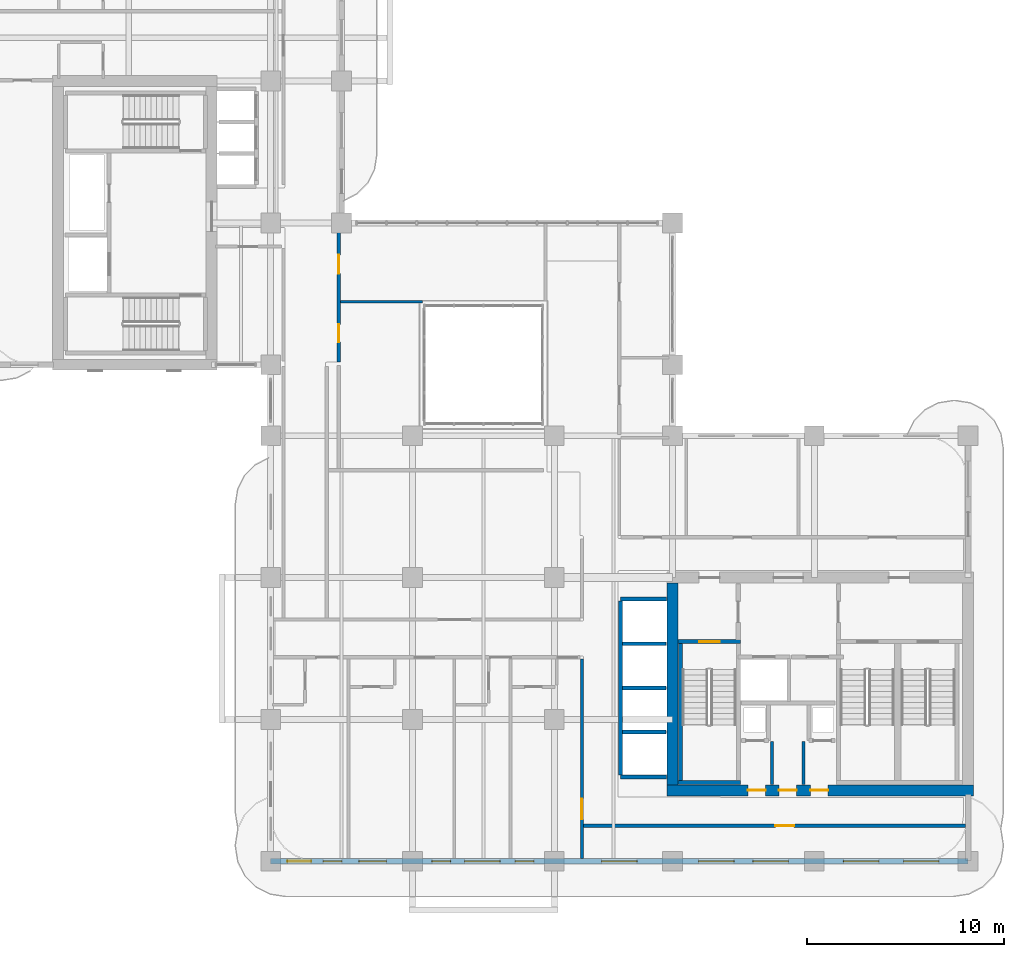
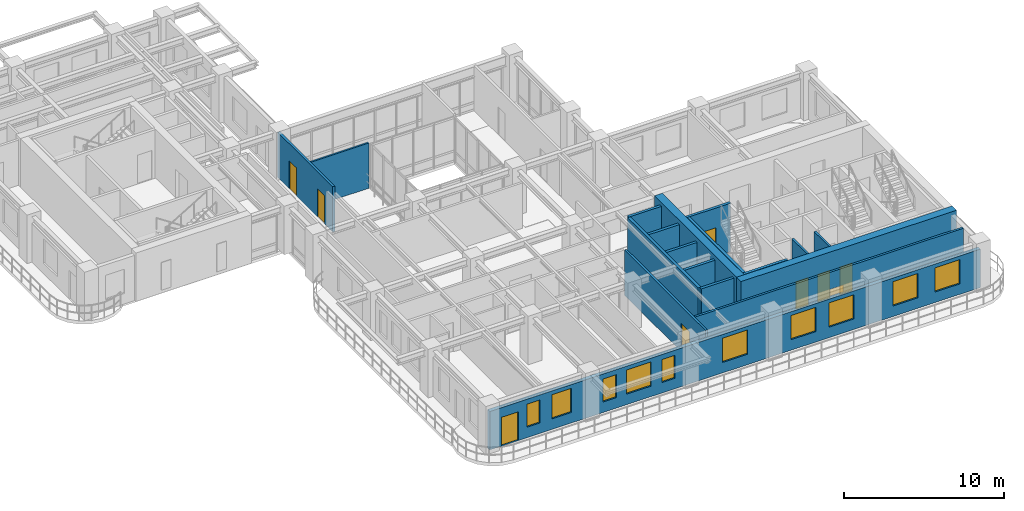
# One storey, part 12 of 20: 18 walls, 10 windows, 9 doors, 19 openings.
"""IFC4 building model written with IfcOpenShell, lengths in metres."""

from ifc_helpers import new_model, si_unit, derived_unit, direction, frame, frame_2d, origin, place, context, subcontext, project, spatial, rectangle, extrude, source, transform, mapped, material, layer, layer_set, type_object, type_shapes, element, fill, save


model = new_model("IFC4")

# Units and contexts
model_context = context("Model", 3, precision=1e-05, world=origin(), true_north=direction((0.0, 1.0)))
body_context = subcontext(model_context, "Body", "Model", "MODEL_VIEW")
ifc_project = project(units=[si_unit("LENGTHUNIT", "METRE"), si_unit("AREAUNIT", "SQUARE_METRE"), si_unit("VOLUMEUNIT", "CUBIC_METRE"), si_unit("PLANEANGLEUNIT", "RADIAN"), si_unit("MASSUNIT", "GRAM", prefix="KILO"), si_unit("THERMODYNAMICTEMPERATUREUNIT", "KELVIN"), si_unit("POWERUNIT", "WATT"), derived_unit("THERMALTRANSMITTANCEUNIT", [(si_unit("POWERUNIT", "WATT"), 1), (si_unit("AREAUNIT", "SQUARE_METRE"), -1), (si_unit("THERMODYNAMICTEMPERATUREUNIT", "KELVIN"), -1)])], contexts=[model_context])

# Site, building, storey
site_placement = place(None, origin())
site = spatial("IfcSite", under=ifc_project, at=site_placement, CompositionType="ELEMENT")
building_placement = place(site_placement, origin())
building = spatial("IfcBuilding", under=site, at=building_placement, Name="Zahravan Archway Hotel and Residences", CompositionType="ELEMENT")
storey_placement = place(building_placement, frame((0.0, 0.0, 126.60009765625)))
storey = spatial("IfcBuildingStorey", under=building, at=storey_placement, Name="L31", CompositionType="ELEMENT", Elevation=126.60009765625)

# Wall, openings, doors
ifc_material_1 = material(Name="Concrete C70/85", Category="concrete")
ifc_layer_1 = layer(ifc_material_1, 0.550048828125, Name="Concrete C70/85", Category="concrete")
ifc_layer_set_1 = layer_set([ifc_layer_1], Name="Concrete C70/85")
wall_type_1 = type_object("IfcWallType", Name="CW-CORE-550", PredefinedType="SHEAR", material=ifc_layer_set_1)
wall_1_placement = place(storey_placement, frame((34.52490234375, 3.60009765625, 0.0), z_axis=(0.0, 0.0, 1.0), x_axis=(1.0, 0.0, 0.0)))
wall_1 = element("IfcWall", 1, at=wall_1_placement, inside=storey, type_object=wall_type_1, Name="L31 Core A Shear S Wall 550 mm", PredefinedType="SHEAR", context=body_context, shape_type="SweptSolid", body=[
    extrude(rectangle(XDim=15.550048828125, YDim=0.550048828125, at=frame_2d((7.77490234375, 0.0))), origin(), (0.0, 0.0, 1.0), 3.699951171875),
])
opening_1_placement = place(wall_1_placement, frame((4.10498046875, 0.0, 0.0)))
opening_1 = element("IfcOpeningElement", 2, at=opening_1_placement, cuts=wall_1, Name="Opening FD-R1", PredefinedType="OPENING", context=body_context, shape_type="SweptSolid", body=[
    extrude(rectangle(XDim=0.89990234375, YDim=2.10009765625, at=frame_2d((0.449951171875, 1.050048828125))), frame((0.0, 0.28515625, 0.0), z_axis=(0.0, -1.0, 0.0), x_axis=(1.0, 0.0, 0.0)), (0.0, 0.0, 1.0), 0.570068359375),
])
opening_2_placement = place(wall_1_placement, frame((5.675048828125, 0.0, 0.0)))
opening_2 = element("IfcOpeningElement", 3, at=opening_2_placement, cuts=wall_1, Name="Opening FD-R1", PredefinedType="OPENING", context=body_context, shape_type="SweptSolid", body=[
    extrude(rectangle(XDim=0.89990234375, YDim=2.10009765625, at=frame_2d((0.449951171875, 1.050048828125))), frame((0.0, 0.28515625, 0.0), z_axis=(0.0, -1.0, 0.0), x_axis=(1.0, 0.0, 0.0)), (0.0, 0.0, 1.0), 0.570068359375),
])
opening_3_placement = place(wall_1_placement, frame((7.27490234375, 0.0, 0.0)))
opening_3 = element("IfcOpeningElement", 4, at=opening_3_placement, cuts=wall_1, Name="Opening FD-R1", PredefinedType="OPENING", context=body_context, shape_type="SweptSolid", body=[
    extrude(rectangle(XDim=0.89990234375, YDim=2.10009765625, at=frame_2d((0.449951171875, 1.050048828125))), frame((0.0, 0.28515625, 0.0), z_axis=(0.0, -1.0, 0.0), x_axis=(1.0, 0.0, 0.0)), (0.0, 0.0, 1.0), 0.570068359375),
])
ifc_material_2 = material(Name="Fire-Rated Painted Steel", Category="steel")
door_type_1 = type_object("IfcDoorType", Name="FD-RISER-900", OperationType="NOTDEFINED", PredefinedType="DOOR", material=ifc_material_2)
shared_shape_1 = source(origin(), body_context, "Body", "SweptSolid", [
    extrude(rectangle(XDim=0.89990234375, YDim=2.10009765625, at=frame_2d((0.449951171875, 1.050048828125))), frame((0.0, 0.02490234375, 0.0), z_axis=(0.0, -1.0, 0.0), x_axis=(1.0, 0.0, 0.0)), (0.0, 0.0, 1.0), 0.050048828125),
])
type_shapes(door_type_1, [shared_shape_1])
door_1_placement = place(opening_1_placement, origin())
door_1 = element("IfcDoor", 5, at=door_1_placement, inside=storey, type_object=door_type_1, Name="L31 Linen Store Door", OperationType="SINGLE_SWING_RIGHT", OverallHeight=2.10009765625, OverallWidth=0.89990234375, PredefinedType="DOOR", context=body_context, shape_type="MappedRepresentation", body=[
    mapped(shared_shape_1, transform((0.0, 0.0, 0.0), scale=1.0)),
])
fill(opening_1, door_1)
door_2_placement = place(opening_2_placement, origin())
door_2 = element("IfcDoor", 6, at=door_2_placement, inside=storey, type_object=door_type_1, Name="L31 Housekeeping Store Door", OperationType="SINGLE_SWING_LEFT", OverallHeight=2.10009765625, OverallWidth=0.89990234375, PredefinedType="DOOR", context=body_context, shape_type="MappedRepresentation", body=[
    mapped(shared_shape_1, transform((0.0, 0.0, 0.0), scale=1.0)),
])
fill(opening_2, door_2)
door_3_placement = place(opening_3_placement, origin())
door_3 = element("IfcDoor", 7, at=door_3_placement, inside=storey, type_object=door_type_1, Name="L31 Janitor Store Door", OperationType="SINGLE_SWING_RIGHT", OverallHeight=2.10009765625, OverallWidth=0.89990234375, PredefinedType="DOOR", context=body_context, shape_type="MappedRepresentation", body=[
    mapped(shared_shape_1, transform((0.0, 0.0, 0.0), scale=1.0)),
])
fill(opening_3, door_3)

# Wall
wall_2_placement = place(storey_placement, frame((34.800048828125, 3.875, 0.0), z_axis=(0.0, 0.0, 1.0), x_axis=(0.0, 1.0, 0.0)))
element("IfcWall", 8, at=wall_2_placement, inside=storey, type_object=wall_type_1, Name="L31 Core A Shear W Wall 550 mm", PredefinedType="SHEAR", context=body_context, shape_type="SweptSolid", body=[
    extrude(rectangle(XDim=10.25, YDim=0.550048828125, at=frame_2d((5.125, 0.0))), origin(), (0.0, 0.0, 1.0), 3.699951171875),
])

# Wall, openings, door, windows
ifc_material_3 = material(Name="Honed Red-Ochre Sandstone & Insulated Block", Category="masonry")
ifc_layer_2 = layer(ifc_material_3, 0.280029296875, Name="Honed Red-Ochre Sandstone & Insulated Block", Category="masonry")
ifc_layer_set_2 = layer_set([ifc_layer_2], Name="Honed Red-Ochre Sandstone & Insulated Block")
wall_type_2 = type_object("IfcWallType", Name="EW-LOG-280", PredefinedType="SOLIDWALL", material=ifc_layer_set_2)
wall_3_placement = place(storey_placement, frame((14.39990234375, 0.0, 0.0), z_axis=(0.0, 0.0, 1.0), x_axis=(1.0, 0.0, 0.0)))
wall_3 = element("IfcWall", 9, at=wall_3_placement, inside=storey, type_object=wall_type_2, Name="L31 Exterior Sandstone Wall WA-S", PredefinedType="SOLIDWALL", context=body_context, shape_type="SweptSolid", body=[
    extrude(rectangle(XDim=35.400146484375, YDim=0.280029296875, at=frame_2d((17.7001953125, 0.0))), origin(), (0.0, 0.0, 1.0), 2.934814453125),
])
opening_4_placement = place(wall_3_placement, frame((0.85009765625, 0.0, 0.0)))
opening_4 = element("IfcOpeningElement", 10, at=opening_4_placement, cuts=wall_3, Name="Opening ED-BL1", PredefinedType="OPENING", context=body_context, shape_type="SweptSolid", body=[
    extrude(rectangle(XDim=1.199951171875, YDim=2.199951171875, at=frame_2d((0.60009765625, 1.10009765625))), frame((0.0, 0.14990234375, 0.0), z_axis=(0.0, -1.0, 0.0), x_axis=(1.0, 0.0, 0.0)), (0.0, 0.0, 1.0), 0.300048828125),
])
opening_5_placement = place(wall_3_placement, frame((2.6708984375, 0.0, 0.800048828125)))
opening_5 = element("IfcOpeningElement", 11, at=opening_5_placement, cuts=wall_3, Name="Opening W-04", PredefinedType="OPENING", context=body_context, shape_type="SweptSolid", body=[
    extrude(rectangle(XDim=0.949951171875, YDim=1.75, at=frame_2d((0.47509765625, 0.875))), frame((0.0, 0.14990234375, 0.0), z_axis=(0.0, -1.0, 0.0), x_axis=(1.0, 0.0, 0.0)), (0.0, 0.0, 1.0), 0.300048828125),
])
opening_6_placement = place(wall_3_placement, frame((4.47900390625, 0.0, 0.800048828125)))
opening_6 = element("IfcOpeningElement", 12, at=opening_6_placement, cuts=wall_3, Name="Opening W-03", PredefinedType="OPENING", context=body_context, shape_type="SweptSolid", body=[
    extrude(rectangle(XDim=1.39990234375, YDim=1.85009765625, at=frame_2d((0.699951171875, 0.925048828125))), frame((0.0, 0.14990234375, 0.0), z_axis=(0.0, -1.0, 0.0), x_axis=(1.0, 0.0, 0.0)), (0.0, 0.0, 1.0), 0.300048828125),
])
opening_7_placement = place(wall_3_placement, frame((8.180908203125, 0.0, 0.800048828125)))
opening_7 = element("IfcOpeningElement", 13, at=opening_7_placement, cuts=wall_3, Name="Opening W-04", PredefinedType="OPENING", context=body_context, shape_type="SweptSolid", body=[
    extrude(rectangle(XDim=0.949951171875, YDim=1.75, at=frame_2d((0.47509765625, 0.875))), frame((0.0, 0.14990234375, 0.0), z_axis=(0.0, -1.0, 0.0), x_axis=(1.0, 0.0, 0.0)), (0.0, 0.0, 1.0), 0.300048828125),
])
opening_8_placement = place(wall_3_placement, frame((9.844970703125, 0.0, 0.800048828125)))
opening_8 = element("IfcOpeningElement", 14, at=opening_8_placement, cuts=wall_3, Name="Opening W-02", PredefinedType="OPENING", context=body_context, shape_type="SweptSolid", body=[
    extrude(rectangle(XDim=1.800048828125, YDim=1.85009765625, at=frame_2d((0.89990234375, 0.925048828125))), frame((0.0, 0.14990234375, 0.0), z_axis=(0.0, -1.0, 0.0), x_axis=(1.0, 0.0, 0.0)), (0.0, 0.0, 1.0), 0.300048828125),
])
opening_9_placement = place(wall_3_placement, frame((12.4140625, 0.0, 0.800048828125)))
opening_9 = element("IfcOpeningElement", 15, at=opening_9_placement, cuts=wall_3, Name="Opening W-04", PredefinedType="OPENING", context=body_context, shape_type="SweptSolid", body=[
    extrude(rectangle(XDim=0.949951171875, YDim=1.75, at=frame_2d((0.47509765625, 0.875))), frame((0.0, 0.14990234375, 0.0), z_axis=(0.0, -1.0, 0.0), x_axis=(1.0, 0.0, 0.0)), (0.0, 0.0, 1.0), 0.300048828125),
])
opening_10_placement = place(wall_3_placement, frame((16.803955078125, 0.0, 0.800048828125)))
opening_10 = element("IfcOpeningElement", 16, at=opening_10_placement, cuts=wall_3, Name="Opening W-02", PredefinedType="OPENING", context=body_context, shape_type="SweptSolid", body=[
    extrude(rectangle(XDim=1.800048828125, YDim=1.85009765625, at=frame_2d((0.89990234375, 0.925048828125))), frame((0.0, 0.14990234375, 0.0), z_axis=(0.0, -1.0, 0.0), x_axis=(1.0, 0.0, 0.0)), (0.0, 0.0, 1.0), 0.300048828125),
])
opening_11_placement = place(wall_3_placement, frame((21.72509765625, 0.0, 0.800048828125)))
opening_11 = element("IfcOpeningElement", 17, at=opening_11_placement, cuts=wall_3, Name="Opening W-02", PredefinedType="OPENING", context=body_context, shape_type="SweptSolid", body=[
    extrude(rectangle(XDim=1.800048828125, YDim=1.85009765625, at=frame_2d((0.89990234375, 0.925048828125))), frame((0.0, 0.14990234375, 0.0), z_axis=(0.0, -1.0, 0.0), x_axis=(1.0, 0.0, 0.0)), (0.0, 0.0, 1.0), 0.300048828125),
])
opening_12_placement = place(wall_3_placement, frame((24.47509765625, 0.0, 0.800048828125)))
opening_12 = element("IfcOpeningElement", 18, at=opening_12_placement, cuts=wall_3, Name="Opening W-02", PredefinedType="OPENING", context=body_context, shape_type="SweptSolid", body=[
    extrude(rectangle(XDim=1.800048828125, YDim=1.85009765625, at=frame_2d((0.89990234375, 0.925048828125))), frame((0.0, 0.14990234375, 0.0), z_axis=(0.0, -1.0, 0.0), x_axis=(1.0, 0.0, 0.0)), (0.0, 0.0, 1.0), 0.300048828125),
])
opening_13_placement = place(wall_3_placement, frame((29.074951171875, 0.0, 0.800048828125)))
opening_13 = element("IfcOpeningElement", 19, at=opening_13_placement, cuts=wall_3, Name="Opening W-02", PredefinedType="OPENING", context=body_context, shape_type="SweptSolid", body=[
    extrude(rectangle(XDim=1.800048828125, YDim=1.85009765625, at=frame_2d((0.89990234375, 0.925048828125))), frame((0.0, 0.14990234375, 0.0), z_axis=(0.0, -1.0, 0.0), x_axis=(1.0, 0.0, 0.0)), (0.0, 0.0, 1.0), 0.300048828125),
])
opening_14_placement = place(wall_3_placement, frame((32.125, 0.0, 0.800048828125)))
opening_14 = element("IfcOpeningElement", 20, at=opening_14_placement, cuts=wall_3, Name="Opening W-02", PredefinedType="OPENING", context=body_context, shape_type="SweptSolid", body=[
    extrude(rectangle(XDim=1.800048828125, YDim=1.85009765625, at=frame_2d((0.89990234375, 0.925048828125))), frame((0.0, 0.14990234375, 0.0), z_axis=(0.0, -1.0, 0.0), x_axis=(1.0, 0.0, 0.0)), (0.0, 0.0, 1.0), 0.300048828125),
])
ifc_material_4 = material(Name="Bronze-Anodized Glazed Aluminium", Category="aluminium")
door_type_2 = type_object("IfcDoorType", Name="ED-BALC-1200", OperationType="SLIDING_TO_LEFT", PredefinedType="DOOR", material=ifc_material_4)
shared_shape_2 = source(origin(), body_context, "Body", "SweptSolid", [
    extrude(rectangle(XDim=1.199951171875, YDim=2.199951171875, at=frame_2d((0.60009765625, 1.10009765625))), frame((0.0, 0.02490234375, 0.0), z_axis=(0.0, -1.0, 0.0), x_axis=(1.0, 0.0, 0.0)), (0.0, 0.0, 1.0), 0.050048828125),
])
type_shapes(door_type_2, [shared_shape_2])
door_4_placement = place(opening_4_placement, origin())
door_4 = element("IfcDoor", 21, at=door_4_placement, inside=storey, type_object=door_type_2, Name="L31 Outdoor Access Sliding Door (SLB-BAL-L31-SA)", OperationType="SLIDING_TO_LEFT", OverallHeight=2.199951171875, OverallWidth=1.199951171875, PredefinedType="DOOR", context=body_context, shape_type="MappedRepresentation", body=[
    mapped(shared_shape_2, transform((0.0, 0.0, 0.0), scale=1.0)),
])
fill(opening_4, door_4)
ifc_material_5 = material(Name="Bronze-Anodized Thermal-Break Aluminium & Low-E Glass", Category="aluminium")
window_type_1 = type_object("IfcWindowType", Name="WIN-TWR-1400", PartitioningType="SINGLE_PANEL", PredefinedType="WINDOW", material=ifc_material_5)
shared_shape_3 = source(origin(), body_context, "Body", "SweptSolid", [
    extrude(rectangle(XDim=1.39990234375, YDim=1.85009765625, at=frame_2d((0.699951171875, 0.925048828125))), frame((0.0, 0.030029296875, 0.0), z_axis=(0.0, -1.0, 0.0), x_axis=(1.0, 0.0, 0.0)), (0.0, 0.0, 1.0), 0.06005859375),
])
type_shapes(window_type_1, [shared_shape_3])
window_1_placement = place(opening_6_placement, origin())
window_1 = element("IfcWindow", 22, at=window_1_placement, inside=storey, type_object=window_type_1, Name="L31 Loggia Window 02", OverallHeight=1.85009765625, OverallWidth=1.39990234375, PartitioningType="SINGLE_PANEL", PredefinedType="WINDOW", context=body_context, shape_type="MappedRepresentation", body=[
    mapped(shared_shape_3, transform((0.0, 0.0, 0.0), scale=1.0)),
])
fill(opening_6, window_1)
window_type_2 = type_object("IfcWindowType", Name="WIN-NAR-950", PartitioningType="SINGLE_PANEL", PredefinedType="WINDOW", material=ifc_material_5)
shared_shape_4 = source(origin(), body_context, "Body", "SweptSolid", [
    extrude(rectangle(XDim=0.949951171875, YDim=1.75, at=frame_2d((0.47509765625, 0.875))), frame((0.0, 0.030029296875, 0.0), z_axis=(0.0, -1.0, 0.0), x_axis=(1.0, 0.0, 0.0)), (0.0, 0.0, 1.0), 0.06005859375),
])
type_shapes(window_type_2, [shared_shape_4])
window_2_placement = place(opening_5_placement, origin())
window_2 = element("IfcWindow", 23, at=window_2_placement, inside=storey, type_object=window_type_2, Name="L31 Loggia Window 01", OverallHeight=1.75, OverallWidth=0.949951171875, PartitioningType="SINGLE_PANEL", PredefinedType="WINDOW", context=body_context, shape_type="MappedRepresentation", body=[
    mapped(shared_shape_4, transform((0.0, 0.0, 0.0), scale=1.0)),
])
fill(opening_5, window_2)
window_3_placement = place(opening_7_placement, origin())
window_3 = element("IfcWindow", 24, at=window_3_placement, inside=storey, type_object=window_type_2, Name="L31 Loggia Window 03", OverallHeight=1.75, OverallWidth=0.949951171875, PartitioningType="SINGLE_PANEL", PredefinedType="WINDOW", context=body_context, shape_type="MappedRepresentation", body=[
    mapped(shared_shape_4, transform((0.0, 0.0, 0.0), scale=1.0)),
])
fill(opening_7, window_3)
window_4_placement = place(opening_9_placement, origin())
window_4 = element("IfcWindow", 25, at=window_4_placement, inside=storey, type_object=window_type_2, Name="L31 Loggia Window 05", OverallHeight=1.75, OverallWidth=0.949951171875, PartitioningType="SINGLE_PANEL", PredefinedType="WINDOW", context=body_context, shape_type="MappedRepresentation", body=[
    mapped(shared_shape_4, transform((0.0, 0.0, 0.0), scale=1.0)),
])
fill(opening_9, window_4)
window_type_3 = type_object("IfcWindowType", Name="WIN-TWR-1800", PartitioningType="DOUBLE_PANEL_VERTICAL", PredefinedType="WINDOW", material=ifc_material_5)
shared_shape_5 = source(origin(), body_context, "Body", "SweptSolid", [
    extrude(rectangle(XDim=1.800048828125, YDim=1.85009765625, at=frame_2d((0.89990234375, 0.925048828125))), frame((0.0, 0.030029296875, 0.0), z_axis=(0.0, -1.0, 0.0), x_axis=(1.0, 0.0, 0.0)), (0.0, 0.0, 1.0), 0.06005859375),
])
type_shapes(window_type_3, [shared_shape_5])
window_5_placement = place(opening_8_placement, origin())
window_5 = element("IfcWindow", 26, at=window_5_placement, inside=storey, type_object=window_type_3, Name="L31 Loggia Window 04", OverallHeight=1.85009765625, OverallWidth=1.800048828125, PartitioningType="DOUBLE_PANEL_VERTICAL", PredefinedType="WINDOW", context=body_context, shape_type="MappedRepresentation", body=[
    mapped(shared_shape_5, transform((0.0, 0.0, 0.0), scale=1.0)),
])
fill(opening_8, window_5)
window_6_placement = place(opening_10_placement, origin())
window_6 = element("IfcWindow", 27, at=window_6_placement, inside=storey, type_object=window_type_3, Name="L31 Loggia Window 06", OverallHeight=1.85009765625, OverallWidth=1.800048828125, PartitioningType="DOUBLE_PANEL_VERTICAL", PredefinedType="WINDOW", context=body_context, shape_type="MappedRepresentation", body=[
    mapped(shared_shape_5, transform((0.0, 0.0, 0.0), scale=1.0)),
])
fill(opening_10, window_6)
window_7_placement = place(opening_11_placement, origin())
window_7 = element("IfcWindow", 28, at=window_7_placement, inside=storey, type_object=window_type_3, Name="L31 Loggia Window 07", OverallHeight=1.85009765625, OverallWidth=1.800048828125, PartitioningType="DOUBLE_PANEL_VERTICAL", PredefinedType="WINDOW", context=body_context, shape_type="MappedRepresentation", body=[
    mapped(shared_shape_5, transform((0.0, 0.0, 0.0), scale=1.0)),
])
fill(opening_11, window_7)
window_8_placement = place(opening_12_placement, origin())
window_8 = element("IfcWindow", 29, at=window_8_placement, inside=storey, type_object=window_type_3, Name="L31 Loggia Window 08", OverallHeight=1.85009765625, OverallWidth=1.800048828125, PartitioningType="DOUBLE_PANEL_VERTICAL", PredefinedType="WINDOW", context=body_context, shape_type="MappedRepresentation", body=[
    mapped(shared_shape_5, transform((0.0, 0.0, 0.0), scale=1.0)),
])
fill(opening_12, window_8)
window_9_placement = place(opening_13_placement, origin())
window_9 = element("IfcWindow", 30, at=window_9_placement, inside=storey, type_object=window_type_3, Name="L31 Loggia Window 09", OverallHeight=1.85009765625, OverallWidth=1.800048828125, PartitioningType="DOUBLE_PANEL_VERTICAL", PredefinedType="WINDOW", context=body_context, shape_type="MappedRepresentation", body=[
    mapped(shared_shape_5, transform((0.0, 0.0, 0.0), scale=1.0)),
])
fill(opening_13, window_9)
window_10_placement = place(opening_14_placement, origin())
window_10 = element("IfcWindow", 31, at=window_10_placement, inside=storey, type_object=window_type_3, Name="L31 Loggia Window 10", OverallHeight=1.85009765625, OverallWidth=1.800048828125, PartitioningType="DOUBLE_PANEL_VERTICAL", PredefinedType="WINDOW", context=body_context, shape_type="MappedRepresentation", body=[
    mapped(shared_shape_5, transform((0.0, 0.0, 0.0), scale=1.0)),
])
fill(opening_14, window_10)

# Wall, opening, door
ifc_material_6 = material(Name="Fire-Rated Gypsum & Concrete Block", Category="concrete")
ifc_layer_3 = layer(ifc_material_6, 0.159912109375, Name="Fire-Rated Gypsum & Concrete Block", Category="concrete")
ifc_layer_set_3 = layer_set([ifc_layer_3], Name="Fire-Rated Gypsum & Concrete Block")
wall_type_3 = type_object("IfcWallType", Name="PW-CORR-160", PredefinedType="PARTITIONING", material=ifc_layer_set_3)
wall_4_placement = place(storey_placement, frame((30.199951171875, 0.14794921875, 0.0), z_axis=(0.0, 0.0, 1.0), x_axis=(0.0, 1.0, 0.0)))
wall_4 = element("IfcWall", 32, at=wall_4_placement, inside=storey, type_object=wall_type_3, Name="L31 Partition WA-SRW", PredefinedType="PARTITIONING", context=body_context, shape_type="SweptSolid", body=[
    extrude(rectangle(XDim=10.112060546875, YDim=0.159912109375, at=frame_2d((5.05615234375, 0.0))), origin(), (0.0, 0.0, 1.0), 3.449951171875),
])
opening_15_placement = place(wall_4_placement, frame((1.97705078125, 0.0, 0.0)))
opening_15 = element("IfcOpeningElement", 33, at=opening_15_placement, cuts=wall_4, Name="Opening FD-L2", PredefinedType="OPENING", context=body_context, shape_type="SweptSolid", body=[
    extrude(rectangle(XDim=1.050048828125, YDim=2.14990234375, at=frame_2d((0.52490234375, 1.074951171875))), frame((0.0, 0.08984375, 0.0), z_axis=(0.0, -1.0, 0.0), x_axis=(1.0, 0.0, 0.0)), (0.0, 0.0, 1.0), 0.179931640625),
])
door_type_3 = type_object("IfcDoorType", Name="FD-LOBBY-1100", OperationType="NOTDEFINED", PredefinedType="DOOR", material=ifc_material_2)
shared_shape_6 = source(origin(), body_context, "Body", "SweptSolid", [
    extrude(rectangle(XDim=1.050048828125, YDim=2.14990234375, at=frame_2d((0.52490234375, 1.074951171875))), frame((0.0, 0.02490234375, 0.0), z_axis=(0.0, -1.0, 0.0), x_axis=(1.0, 0.0, 0.0)), (0.0, 0.0, 1.0), 0.050048828125),
])
type_shapes(door_type_3, [shared_shape_6])
door_5_placement = place(opening_15_placement, origin())
door_5 = element("IfcDoor", 34, at=door_5_placement, inside=storey, type_object=door_type_3, Name="L31 South Riser Corridor Door", OperationType="SINGLE_SWING_RIGHT", OverallHeight=2.14990234375, OverallWidth=1.050048828125, PredefinedType="DOOR", context=body_context, shape_type="MappedRepresentation", body=[
    mapped(shared_shape_6, transform((0.0, 0.0, 0.0), scale=1.0)),
])
fill(opening_15, door_5)

wall_5_placement = place(storey_placement, frame((30.2900390625, 1.800048828125, 0.0), z_axis=(0.0, 0.0, 1.0), x_axis=(1.0, 0.0, 0.0)))
wall_5 = element("IfcWall", 35, at=wall_5_placement, inside=storey, type_object=wall_type_3, Name="L31 Partition WA-SRS", PredefinedType="PARTITIONING", context=body_context, shape_type="SweptSolid", body=[
    extrude(rectangle(XDim=19.369873046875, YDim=0.159912109375, at=frame_2d((9.68505859375, 0.0))), origin(), (0.0, 0.0, 1.0), 3.449951171875),
])
opening_16_placement = place(wall_5_placement, frame((9.735107421875, 0.0, 0.0)))
opening_16 = element("IfcOpeningElement", 36, at=opening_16_placement, cuts=wall_5, Name="Opening D-I1", PredefinedType="OPENING", context=body_context, shape_type="SweptSolid", body=[
    extrude(rectangle(XDim=0.949951171875, YDim=2.14990234375, at=frame_2d((0.47509765625, 1.074951171875))), frame((0.0, 0.08984375, 0.0), z_axis=(0.0, -1.0, 0.0), x_axis=(1.0, 0.0, 0.0)), (0.0, 0.0, 1.0), 0.179931640625),
])
ifc_material_7 = material(Name="Hardwood Veneer Timber", Category="wood")
door_type_4 = type_object("IfcDoorType", Name="ID-INT-950", OperationType="NOTDEFINED", PredefinedType="DOOR", material=ifc_material_7)
shared_shape_7 = source(origin(), body_context, "Body", "SweptSolid", [
    extrude(rectangle(XDim=0.949951171875, YDim=2.14990234375, at=frame_2d((0.47509765625, 1.074951171875))), frame((0.0, 0.02490234375, 0.0), z_axis=(0.0, -1.0, 0.0), x_axis=(1.0, 0.0, 0.0)), (0.0, 0.0, 1.0), 0.050048828125),
])
type_shapes(door_type_4, [shared_shape_7])
door_6_placement = place(opening_16_placement, origin())
door_6 = element("IfcDoor", 37, at=door_6_placement, inside=storey, type_object=door_type_4, Name="L31 South Viewing Lounge Door", OperationType="SINGLE_SWING_LEFT", OverallHeight=2.14990234375, OverallWidth=0.949951171875, PredefinedType="DOOR", context=body_context, shape_type="MappedRepresentation", body=[
    mapped(shared_shape_7, transform((0.0, 0.0, 0.0), scale=1.0)),
])
fill(opening_16, door_6)

# Walls
ifc_material_8 = material(Name="Acoustic Stud Partition")
ifc_layer_4 = layer(ifc_material_8, 0.125, Name="Acoustic Stud Partition")
ifc_layer_set_4 = layer_set([ifc_layer_4], Name="Acoustic Stud Partition")
wall_type_4 = type_object("IfcWallType", Name="PW-INT-125", PredefinedType="PARTITIONING", material=ifc_layer_set_4)
wall_6_placement = place(storey_placement, frame((17.93994140625, 28.39990234375, 0.0), z_axis=(0.0, 0.0, 1.0), x_axis=(1.0, 0.0, 0.0)))
element("IfcWall", 38, at=wall_6_placement, inside=storey, type_object=wall_type_4, Name="L31 Partition ATR-NW1", PredefinedType="PARTITIONING", context=body_context, shape_type="SweptSolid", body=[
    extrude(rectangle(XDim=4.170166015625, YDim=0.125, at=frame_2d((2.0849609375, 0.0))), origin(), (0.0, 0.0, 1.0), 3.449951171875),
])
ifc_layer_5 = layer(ifc_material_6, 0.199951171875, Name="Fire-Rated Gypsum & Concrete Block", Category="concrete")
ifc_layer_set_5 = layer_set([ifc_layer_5], Name="Fire-Rated Gypsum & Concrete Block")
wall_type_5 = type_object("IfcWallType", Name="PW-SHAFT-200", PredefinedType="PARTITIONING", material=ifc_layer_set_5)
for number, where, z_axis, x_axis, name in (
    (39, (32.159912109375, 4.280029296875, 0.0), (0.0, 0.0, 1.0), (1.0, 0.0, 0.0), "L31 Partition B3-S"),
    (40, (32.159912109375, 13.320068359375, 0.0), (0.0, 0.0, 1.0), (1.0, 0.0, 0.0), "L31 Partition B3-N"),
):
    element("IfcWall", number, at=place(storey_placement, frame(where, z_axis=z_axis, x_axis=x_axis)), inside=storey, type_object=wall_type_5, Name=name, PredefinedType="PARTITIONING", context=body_context, shape_type="SweptSolid", body=[
        extrude(rectangle(XDim=2.335205078125, YDim=0.199951171875, at=frame_2d((1.16748046875, 0.0))), origin(), (0.0, 0.0, 1.0), 3.449951171875),
    ])
wall_7_placement = place(storey_placement, frame((32.14990234375, 4.389892578125, 0.0), z_axis=(0.0, 0.0, 1.0), x_axis=(0.0, 1.0, 0.0)))
element("IfcWall", 41, at=wall_7_placement, inside=storey, type_object=wall_type_5, Name="L31 Partition B3-W", PredefinedType="PARTITIONING", context=body_context, shape_type="SweptSolid", body=[
    extrude(rectangle(XDim=8.820068359375, YDim=0.199951171875, at=frame_2d((4.41015625, 0.0))), origin(), (0.0, 0.0, 1.0), 3.449951171875),
])
for number, where, z_axis, x_axis, name in (
    (42, (32.260009765625, 6.56005859375, 0.0), (0.0, 0.0, 1.0), (1.0, 0.0, 0.0), "L31 Partition B3-D"),
    (43, (32.260009765625, 8.800048828125, 0.0), (0.0, 0.0, 1.0), (1.0, 0.0, 0.0), "L31 Partition B3-D"),
    (44, (32.260009765625, 11.0400390625, 0.0), (0.0, 0.0, 1.0), (1.0, 0.0, 0.0), "L31 Partition B3-D"),
):
    element("IfcWall", number, at=place(storey_placement, frame(where, z_axis=z_axis, x_axis=x_axis)), inside=storey, type_object=wall_type_5, Name=name, PredefinedType="PARTITIONING", context=body_context, shape_type="SweptSolid", body=[
        extrude(rectangle(XDim=2.205078125, YDim=0.199951171875, at=frame_2d((1.1025390625, 0.0))), origin(), (0.0, 0.0, 1.0), 3.449951171875),
    ])

# Wall, openings, doors
ifc_layer_6 = layer(ifc_material_8, 0.169921875, Name="Acoustic Stud Partition")
ifc_layer_set_6 = layer_set([ifc_layer_6], Name="Acoustic Stud Partition")
wall_type_6 = type_object("IfcWallType", Name="PW-UNIT-170", PredefinedType="PARTITIONING", material=ifc_layer_set_6)
wall_8_placement = place(storey_placement, frame((17.85009765625, 25.340087890625, 0.0), z_axis=(0.0, 0.0, 1.0), x_axis=(0.0, 1.0, 0.0)))
wall_8 = element("IfcWall", 45, at=wall_8_placement, inside=storey, type_object=wall_type_6, Name="L31 Partition ATR-W2", PredefinedType="PARTITIONING", context=body_context, shape_type="SweptSolid", body=[
    extrude(rectangle(XDim=6.869873046875, YDim=0.169921875, at=frame_2d((3.43505859375, 0.0))), origin(), (0.0, 0.0, 1.0), 3.449951171875),
])
opening_17_placement = place(wall_8_placement, frame((1.010009765625, 0.0, 0.0)))
opening_17 = element("IfcOpeningElement", 46, at=opening_17_placement, cuts=wall_8, Name="Opening D-I2", PredefinedType="OPENING", context=body_context, shape_type="SweptSolid", body=[
    extrude(rectangle(XDim=0.89990234375, YDim=2.14990234375, at=frame_2d((0.449951171875, 1.074951171875))), frame((0.0, 0.094970703125, 0.0), z_axis=(0.0, -1.0, 0.0), x_axis=(1.0, 0.0, 0.0)), (0.0, 0.0, 1.0), 0.18994140625),
])
opening_18_placement = place(wall_8_placement, frame((4.485107421875, 0.0, 0.0)))
opening_18 = element("IfcOpeningElement", 47, at=opening_18_placement, cuts=wall_8, Name="Opening D-I1", PredefinedType="OPENING", context=body_context, shape_type="SweptSolid", body=[
    extrude(rectangle(XDim=0.949951171875, YDim=2.14990234375, at=frame_2d((0.47509765625, 1.074951171875))), frame((0.0, 0.094970703125, 0.0), z_axis=(0.0, -1.0, 0.0), x_axis=(1.0, 0.0, 0.0)), (0.0, 0.0, 1.0), 0.18994140625),
])
door_7_placement = place(opening_18_placement, origin())
door_7 = element("IfcDoor", 48, at=door_7_placement, inside=storey, type_object=door_type_4, Name="L31 Atrium North Lounge Door", OperationType="SINGLE_SWING_LEFT", OverallHeight=2.14990234375, OverallWidth=0.949951171875, PredefinedType="DOOR", context=body_context, shape_type="MappedRepresentation", body=[
    mapped(shared_shape_7, transform((0.0, 0.0, 0.0), scale=1.0)),
])
fill(opening_18, door_7)
door_type_5 = type_object("IfcDoorType", Name="ID-INT-900", OperationType="NOTDEFINED", PredefinedType="DOOR", material=ifc_material_7)
shared_shape_8 = source(origin(), body_context, "Body", "SweptSolid", [
    extrude(rectangle(XDim=0.89990234375, YDim=2.14990234375, at=frame_2d((0.449951171875, 1.074951171875))), frame((0.0, 0.02490234375, 0.0), z_axis=(0.0, -1.0, 0.0), x_axis=(1.0, 0.0, 0.0)), (0.0, 0.0, 1.0), 0.050048828125),
])
type_shapes(door_type_5, [shared_shape_8])
door_8_placement = place(opening_17_placement, origin())
door_8 = element("IfcDoor", 49, at=door_8_placement, inside=storey, type_object=door_type_5, Name="L31 Atrium West Study Door", OperationType="SINGLE_SWING_RIGHT", OverallHeight=2.14990234375, OverallWidth=0.89990234375, PredefinedType="DOOR", context=body_context, shape_type="MappedRepresentation", body=[
    mapped(shared_shape_8, transform((0.0, 0.0, 0.0), scale=1.0)),
])
fill(opening_17, door_8)

# Walls
ifc_material_9 = material(Name="Moisture-Resistant Blockwork", Category="masonry")
ifc_layer_7 = layer(ifc_material_9, 0.139892578125, Name="Moisture-Resistant Blockwork", Category="masonry")
ifc_layer_set_7 = layer_set([ifc_layer_7], Name="Moisture-Resistant Blockwork")
wall_type_7 = type_object("IfcWallType", Name="PW-WET-140", PredefinedType="PARTITIONING", material=ifc_layer_set_7)
for number, where, z_axis, x_axis, name in (
    (50, (39.85009765625, 3.89501953125, 0.0), (0.0, 0.0, 1.0), (0.0, 1.0, 0.0), "L31 Partition CA-CV1A"),
    (51, (41.449951171875, 3.89501953125, 0.0), (0.0, 0.0, 1.0), (0.0, 1.0, 0.0), "L31 Partition CA-CV1B"),
):
    element("IfcWall", number, at=place(storey_placement, frame(where, z_axis=z_axis, x_axis=x_axis)), inside=storey, type_object=wall_type_7, Name=name, PredefinedType="PARTITIONING", context=body_context, shape_type="SweptSolid", body=[
        extrude(rectangle(XDim=2.18505859375, YDim=0.139892578125, at=frame_2d((1.092529296875, 0.0))), origin(), (0.0, 0.0, 1.0), 3.449951171875),
    ])
ifc_material_10 = material(Name="Concrete C50/60", Category="concrete")
ifc_layer_8 = layer(ifc_material_10, 0.199951171875, Name="Concrete C50/60", Category="concrete")
ifc_layer_set_8 = layer_set([ifc_layer_8], Name="Concrete C50/60")
wall_type_8 = type_object("IfcWallType", Name="SW-STAIR-200", PredefinedType="SHEAR", material=ifc_layer_set_8)
wall_9_placement = place(storey_placement, frame((35.074951171875, 4.0, 0.0), z_axis=(0.0, 0.0, 1.0), x_axis=(1.0, 0.0, 0.0)))
element("IfcWall", 52, at=wall_9_placement, inside=storey, type_object=wall_type_8, Name="L31 Stairwell RC Wall CA-SA1S", PredefinedType="SHEAR", context=body_context, shape_type="SweptSolid", body=[
    extrude(rectangle(XDim=3.1650390625, YDim=0.199951171875, at=frame_2d((1.58251953125, 0.0))), origin(), (0.0, 0.0, 1.0), 3.699951171875),
])
wall_10_placement = place(storey_placement, frame((35.199951171875, 4.10009765625, 0.0), z_axis=(0.0, 0.0, 1.0), x_axis=(0.0, 1.0, 0.0)))
element("IfcWall", 53, at=wall_10_placement, inside=storey, type_object=wall_type_8, Name="L31 Stairwell RC Wall CA-SA1W", PredefinedType="SHEAR", context=body_context, shape_type="SweptSolid", body=[
    extrude(rectangle(XDim=6.949951171875, YDim=0.199951171875, at=frame_2d((3.47509765625, 0.0))), origin(), (0.0, 0.0, 1.0), 3.699951171875),
])

# Wall, opening, door
wall_11_placement = place(storey_placement, frame((35.074951171875, 11.14990234375, 0.0), z_axis=(0.0, 0.0, 1.0), x_axis=(1.0, 0.0, 0.0)))
wall_11 = element("IfcWall", 54, at=wall_11_placement, inside=storey, type_object=wall_type_8, Name="L31 Stairwell RC Wall CA-SA1N", PredefinedType="SHEAR", context=body_context, shape_type="SweptSolid", body=[
    extrude(rectangle(XDim=3.1650390625, YDim=0.199951171875, at=frame_2d((1.58251953125, 0.0))), origin(), (0.0, 0.0, 1.0), 3.699951171875),
])
opening_19_placement = place(wall_11_placement, frame((1.070068359375, 0.0, 0.0)))
opening_19 = element("IfcOpeningElement", 55, at=opening_19_placement, cuts=wall_11, Name="Opening FD-S1", PredefinedType="OPENING", context=body_context, shape_type="SweptSolid", body=[
    extrude(rectangle(XDim=1.050048828125, YDim=2.199951171875, at=frame_2d((0.52490234375, 1.10009765625))), frame((0.0, 0.10986328125, 0.0), z_axis=(0.0, -1.0, 0.0), x_axis=(1.0, 0.0, 0.0)), (0.0, 0.0, 1.0), 0.219970703125),
])
door_type_6 = type_object("IfcDoorType", Name="FD-STAIR-1100", OperationType="NOTDEFINED", PredefinedType="DOOR", material=ifc_material_2)
shared_shape_9 = source(origin(), body_context, "Body", "SweptSolid", [
    extrude(rectangle(XDim=1.050048828125, YDim=2.199951171875, at=frame_2d((0.52490234375, 1.10009765625))), frame((0.0, 0.02490234375, 0.0), z_axis=(0.0, -1.0, 0.0), x_axis=(1.0, 0.0, 0.0)), (0.0, 0.0, 1.0), 0.050048828125),
])
type_shapes(door_type_6, [shared_shape_9])
door_9_placement = place(opening_19_placement, origin())
door_9 = element("IfcDoor", 56, at=door_9_placement, inside=storey, type_object=door_type_6, Name="L31 Stair ST-A1 Door", OperationType="SINGLE_SWING_LEFT", OverallHeight=2.199951171875, OverallWidth=1.050048828125, PredefinedType="DOOR", context=body_context, shape_type="MappedRepresentation", body=[
    mapped(shared_shape_9, transform((0.0, 0.0, 0.0), scale=1.0)),
])
fill(opening_19, door_9)

save(model, "model.ifc")
